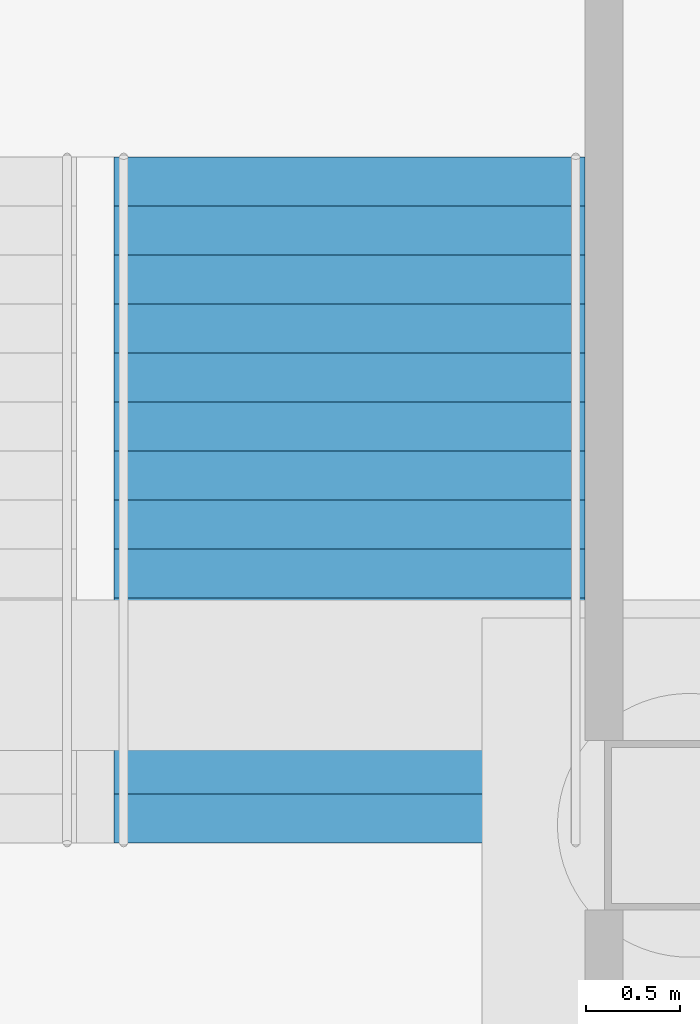
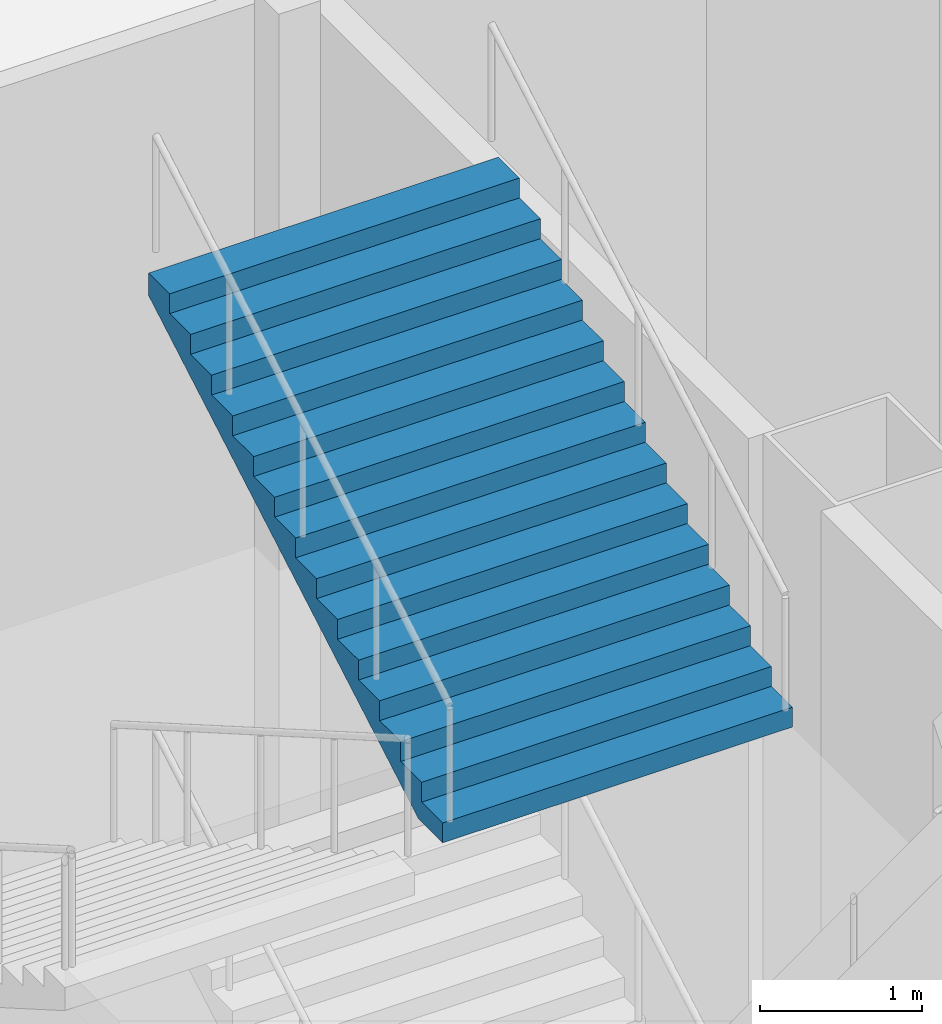
# One storey, part 87 of 113: 1 stair flight, 1 element without a shape of its own.
"""IFC4 building model written with IfcOpenShell, lengths in metres."""

import ifcopenshell
import ifcopenshell.guid

model = None  # the IFC model being written
_history = None  # IfcOwnerHistory: only IFC2X3 demands one
_inside = {}  # id of a spatial element -> (the spatial element, [elements in it])
_under = {}  # id of a project, library or spatial element -> (it, [spatial elements below it])
_declared = {}  # id of a project -> (the project, [libraries it declares])
_typed = {}  # id of a type object -> (the type object, [elements of that type])
_made_of = {}  # id of a material, layer set ... -> (it, [elements and type objects made of it])


def new_model(schema):
    """Start an empty IFC model of exactly this schema.

    Asked for "IFC4X3", IfcOpenShell would pick the latest addendum, in which some entities
    have other attributes; the version numbers below select the first issue.
    IFC2X3 requires an IfcOwnerHistory on every rooted entity: one is made here for all.
    """
    global model, _history
    if schema == "IFC4X3":
        model = ifcopenshell.file(schema_version=(4, 3, 0, 0))
    else:
        model = ifcopenshell.file(schema=schema)
    _inside.clear()
    _under.clear()
    _declared.clear()
    _typed.clear()
    _made_of.clear()
    _history = None
    if model.schema == "IFC2X3":
        org = make("IfcOrganization", Name="unknown")
        user = make(
            "IfcPersonAndOrganization",
            ThePerson=make("IfcPerson", FamilyName="unknown"),
            TheOrganization=org,
        )
        app = make(
            "IfcApplication",
            ApplicationDeveloper=org,
            Version="unknown",
            ApplicationFullName="unknown",
            ApplicationIdentifier="unknown",
        )
        _history = make(
            "IfcOwnerHistory",
            OwningUser=user,
            OwningApplication=app,
            ChangeAction="ADDED",
            CreationDate=0,
        )
    return model


def make(cls, **values):
    """One entity of the class cls with the attributes given. An attribute that is None is left unset."""
    return model.create_entity(
        cls, **{name: value for name, value in values.items() if value is not None}
    )


def rooted(cls, **values):
    """An entity with a GlobalId (a new one), such as an element, a storey or a relation."""
    return make(cls, GlobalId=ifcopenshell.guid.new(), OwnerHistory=_history, **values)


def si_unit(unit_type, name, prefix=None):
    """IfcSIUnit, for example si_unit("LENGTHUNIT", "METRE", prefix="MILLI")."""
    return make("IfcSIUnit", UnitType=unit_type, Prefix=prefix, Name=name)


def assignment(units):
    """IfcUnitAssignment: the units of a project."""
    return None if units is None else make("IfcUnitAssignment", Units=units)


def point(xyz):
    """IfcCartesianPoint."""
    return None if xyz is None else make("IfcCartesianPoint", Coordinates=xyz)


def direction(xyz):
    """IfcDirection."""
    return None if xyz is None else make("IfcDirection", DirectionRatios=xyz)


def frame(location, z_axis=None, x_axis=None):
    """IfcAxis2Placement3D, a coordinate frame: its origin and axes. An axis left out is left unset."""
    return make(
        "IfcAxis2Placement3D",
        Location=point(location),
        Axis=direction(z_axis),
        RefDirection=direction(x_axis),
    )


def origin():
    """The frame at (0, 0, 0) with its axes left unset."""
    return frame((0.0, 0.0, 0.0))


def place(relative_to, where):
    """IfcLocalPlacement: puts the frame where relative to a parent placement (None: the world)."""
    return make(
        "IfcLocalPlacement", PlacementRelTo=relative_to, RelativePlacement=where
    )


def context(
    kind, dimensions, precision=None, world=None, true_north=None, identifier=None
):
    """IfcGeometricRepresentationContext, for example the 3D "Model" context."""
    return make(
        "IfcGeometricRepresentationContext",
        ContextIdentifier=identifier,
        ContextType=kind,
        CoordinateSpaceDimension=dimensions,
        Precision=precision,
        WorldCoordinateSystem=world,
        TrueNorth=true_north,
    )


def subcontext(parent, identifier, kind, view, scale=None):
    """IfcGeometricRepresentationSubContext, for example "Body" below "Model"."""
    return make(
        "IfcGeometricRepresentationSubContext",
        ContextIdentifier=identifier,
        ContextType=kind,
        ParentContext=parent,
        TargetScale=scale,
        TargetView=view,
    )


def project(units=None, contexts=None):
    """IfcProject with its units and contexts."""
    return rooted(
        "IfcProject",
        Name="project",
        RepresentationContexts=contexts,
        UnitsInContext=assignment(units),
    )


def spatial(cls, under=None, at=None, **own):
    """A site, building, storey or space (cls), placed at a placement, below another one or the project."""
    s = rooted(cls, ObjectPlacement=at, **own)
    if under is not None:
        _under.setdefault(under.id(), (under, []))[1].append(s)
    return s


def point_list(points):
    """IfcCartesianPointList2D or 3D."""
    cls = (
        "IfcCartesianPointList2D" if len(points[0]) == 2 else "IfcCartesianPointList3D"
    )
    return make(cls, CoordList=points)


def triangles(points, corners, closed=None, point_numbers=None):
    """IfcTriangulatedFaceSet: each triangle names its three corners, points numbered from 1."""
    return make(
        "IfcTriangulatedFaceSet",
        Coordinates=point_list(points),
        Closed=closed,
        CoordIndex=corners,
        PnIndex=point_numbers,
    )


def shape(context_of_items, identifier, shape_type, items):
    """IfcShapeRepresentation: the items that make up one representation, for example the "Body"."""
    return make(
        "IfcShapeRepresentation",
        ContextOfItems=context_of_items,
        RepresentationIdentifier=identifier,
        RepresentationType=shape_type,
        Items=items,
    )


def material(Name=None, Category=None):
    """IfcMaterial."""
    return make("IfcMaterial", Name=Name, Category=Category)


def made_of(thing, what):
    """Note that an element or type object is made of a material, layer set ...; save() writes the relation."""
    if what is not None:
        _made_of.setdefault(what.id(), (what, []))[1].append(thing)
    return thing


def type_object(cls, material=None, **own):
    """A type object (cls), such as IfcWallType, which elements share."""
    return made_of(rooted(cls, **own), material)


def element(
    cls,
    number,
    at=None,
    inside=None,
    cuts=None,
    type_object=None,
    material=None,
    context=None,
    identifier="Body",
    shape_type=None,
    held_by="IfcProductDefinitionShape",
    body=None,
    shapes=None,
    **own,
):
    """One element of the class cls, such as IfcWall. Its Tag is "e" and its number.

    at: its placement. inside: the storey or other place that contains it. cuts: it is an
    opening in that element (IfcRelVoidsElement). A single representation is given by context,
    identifier, shape_type and body (its items); several are given by shapes. held_by: the class
    of the entity that holds the representations. save() writes the other relations.
    """
    e = rooted(cls, Tag="e%d" % number, ObjectPlacement=at, **own)
    if body is not None:
        shapes = [shape(context, identifier, shape_type, body)]
    if shapes is not None:
        e.Representation = make(held_by, Representations=shapes)
    if inside is not None:
        _inside.setdefault(inside.id(), (inside, []))[1].append(e)
    if cuts is not None:
        rooted(
            "IfcRelVoidsElement", RelatingBuildingElement=cuts, RelatedOpeningElement=e
        )
    if type_object is not None:
        _typed.setdefault(type_object.id(), (type_object, []))[1].append(e)
    return made_of(e, material)


def aggregate(whole, parts):
    """IfcRelAggregates: a whole, such as a stair, and the parts it consists of."""
    return rooted("IfcRelAggregates", RelatingObject=whole, RelatedObjects=parts)


def save(model, path):
    """Write the relations noted so far, then the file.

    IfcRelAggregates (storeys below a building ...), IfcRelContainedInSpatialStructure (elements
    in a storey), IfcRelDefinesByType, IfcRelAssociatesMaterial and IfcRelDeclares: one each for
    every whole, place, type object, material and project.
    """
    for whole, parts in _under.values():
        aggregate(whole, parts)
    for where, things in _inside.values():
        rooted(
            "IfcRelContainedInSpatialStructure",
            RelatedElements=things,
            RelatingStructure=where,
        )
    for kind, things in _typed.values():
        rooted("IfcRelDefinesByType", RelatedObjects=things, RelatingType=kind)
    for what, things in _made_of.values():
        rooted("IfcRelAssociatesMaterial", RelatedObjects=things, RelatingMaterial=what)
    for by, libraries in _declared.values():
        rooted("IfcRelDeclares", RelatingContext=by, RelatedDefinitions=libraries)
    model.write(path)


model = new_model("IFC4")

# Units and contexts
model_context = context("Model", 3, precision=1e-05, world=origin(), true_north=direction((0.0, 1.0)))
body_context = subcontext(model_context, "Body", "Model", "MODEL_VIEW")
ifc_project = project(units=[si_unit("LENGTHUNIT", "METRE"), si_unit("AREAUNIT", "SQUARE_METRE"), si_unit("VOLUMEUNIT", "CUBIC_METRE"), si_unit("PLANEANGLEUNIT", "RADIAN"), si_unit("MASSUNIT", "GRAM", prefix="KILO")], contexts=[model_context])

# Site, building, storey
site_placement = place(None, origin())
site = spatial("IfcSite", under=ifc_project, at=site_placement, CompositionType="ELEMENT")
building_placement = place(site_placement, origin())
building = spatial("IfcBuilding", under=site, at=building_placement, Name="Hakoniwa Tower and Hamabe Station Hall", CompositionType="ELEMENT")
storey_placement = place(building_placement, origin())
storey = spatial("IfcBuildingStorey", under=building, at=storey_placement, Name="L01", CompositionType="ELEMENT", Elevation=0.0)

# Stair, stair flight
ifc_material_1 = material(Name="Concrete C40", Category="concrete")
stair_type = type_object("IfcStairType", Name="STAIR 2500 15X150", PredefinedType="HALF_TURN_STAIR", material=ifc_material_1)
stair_placement = place(storey_placement, origin())
stair = element("IfcStair", 1, at=stair_placement, inside=storey, type_object=stair_type, Name="Escape stair PS2", PredefinedType="HALF_TURN_STAIR")
ifc_material_2 = material(Name="Concrete C40", Category="concrete")
stair_flight_type = type_object("IfcStairFlightType", Name="STAIR FLIGHT 2500", PredefinedType="STRAIGHT", material=ifc_material_2)
stair_flight_placement = place(storey_placement, frame((47.800048828125, 18.7099609375, 6.75), z_axis=(0.0, 0.0, 1.0), x_axis=(0.0, 1.0, 0.0)))
stair_flight = element("IfcStairFlight", 2, at=stair_flight_placement, type_object=stair_flight_type, Name="PS2 flight 4", NumberOfRisers=15, NumberOfTreads=14, PredefinedType="STRAIGHT", RiserHeight=0.15, TreadLength=0.26, context=body_context, shape_type="Tessellation", body=[
    triangles([(0.0, 1.25, 0.0), (0.260009765625, 1.25, 0.0), (0.300048828125, 1.25, 0.0), (0.52001953125, 1.25, 0.126953125), (0.780029296875, 1.25, 0.27685546875), (1.0400390625, 1.25, 0.427001953125), (1.300048828125, 1.25, 0.576904296875), (1.56005859375, 1.25, 0.72705078125), (1.820068359375, 1.25, 0.876953125), (2.080078125, 1.25, 1.02685546875), (2.340087890625, 1.25, 1.177001953125), (2.60009765625, 1.25, 1.326904296875), (2.860107421875, 1.25, 1.47705078125), (3.1201171875, 1.25, 1.626953125), (3.3798828125, 1.25, 1.77685546875), (3.639892578125, 1.25, 1.927001953125), (3.639892578125, 1.25, 2.10009765625), (3.3798828125, 1.25, 2.10009765625), (3.3798828125, 1.25, 1.949951171875), (3.1201171875, 1.25, 1.949951171875), (3.1201171875, 1.25, 1.800048828125), (2.860107421875, 1.25, 1.800048828125), (2.860107421875, 1.25, 1.64990234375), (2.60009765625, 1.25, 1.64990234375), (2.60009765625, 1.25, 1.5), (2.340087890625, 1.25, 1.5), (2.340087890625, 1.25, 1.35009765625), (2.080078125, 1.25, 1.35009765625), (2.080078125, 1.25, 1.199951171875), (1.820068359375, 1.25, 1.199951171875), (1.820068359375, 1.25, 1.050048828125), (1.56005859375, 1.25, 1.050048828125), (1.56005859375, 1.25, 0.89990234375), (1.300048828125, 1.25, 0.89990234375), (1.300048828125, 1.25, 0.75), (1.0400390625, 1.25, 0.75), (1.0400390625, 1.25, 0.60009765625), (0.780029296875, 1.25, 0.60009765625), (0.780029296875, 1.25, 0.449951171875), (0.52001953125, 1.25, 0.449951171875), (0.52001953125, 1.25, 0.300048828125), (0.300048828125, 1.25, 0.300048828125), (0.260009765625, 1.25, 0.300048828125), (0.260009765625, 1.25, 0.14990234375), (0.0, 1.25, 0.14990234375), (0.0, 0.06005859375, 0.0), (0.260009765625, 0.06005859375, 0.0), (0.300048828125, 0.06005859375, 0.0), (0.52001953125, 0.06005859375, 0.126953125), (0.780029296875, 0.06005859375, 0.27685546875), (1.0400390625, 0.06005859375, 0.427001953125), (1.300048828125, 0.06005859375, 0.576904296875), (1.56005859375, 0.06005859375, 0.72705078125), (1.820068359375, 0.06005859375, 0.876953125), (2.080078125, 0.06005859375, 1.02685546875), (2.340087890625, 0.06005859375, 1.177001953125), (2.60009765625, 0.06005859375, 1.326904296875), (2.860107421875, 0.06005859375, 1.47705078125), (3.1201171875, 0.06005859375, 1.626953125), (3.3798828125, 0.06005859375, 1.77685546875), (3.639892578125, 0.06005859375, 1.927001953125), (3.639892578125, 0.06005859375, 2.10009765625), (3.3798828125, 0.06005859375, 2.10009765625), (3.3798828125, 0.06005859375, 1.949951171875), (3.1201171875, 0.06005859375, 1.949951171875), (3.1201171875, 0.06005859375, 1.800048828125), (2.860107421875, 0.06005859375, 1.800048828125), (2.860107421875, 0.06005859375, 1.64990234375), (2.60009765625, 0.06005859375, 1.64990234375), (2.60009765625, 0.06005859375, 1.5), (2.340087890625, 0.06005859375, 1.5), (2.340087890625, 0.06005859375, 1.35009765625), (2.080078125, 0.06005859375, 1.35009765625), (2.080078125, 0.06005859375, 1.199951171875), (1.820068359375, 0.06005859375, 1.199951171875), (1.820068359375, 0.06005859375, 1.050048828125), (1.56005859375, 0.06005859375, 1.050048828125), (1.56005859375, 0.06005859375, 0.89990234375), (1.300048828125, 0.06005859375, 0.89990234375), (1.300048828125, 0.06005859375, 0.75), (1.0400390625, 0.06005859375, 0.75), (1.0400390625, 0.06005859375, 0.60009765625), (0.780029296875, 0.06005859375, 0.60009765625), (0.780029296875, 0.06005859375, 0.449951171875), (0.52001953125, 0.06005859375, 0.449951171875), (0.52001953125, 0.06005859375, 0.300048828125), (0.300048828125, 0.06005859375, 0.300048828125), (0.260009765625, 0.06005859375, 0.300048828125), (0.260009765625, 0.06005859375, 0.14990234375), (0.0, 0.06005859375, 0.14990234375), (0.0, 0.02001953125, 0.0), (0.260009765625, 0.02001953125, 0.0), (0.300048828125, 0.02001953125, 0.0), (0.52001953125, 0.02001953125, 0.126953125), (0.780029296875, 0.02001953125, 0.27685546875), (1.0400390625, 0.02001953125, 0.427001953125), (1.300048828125, 0.02001953125, 0.576904296875), (1.56005859375, 0.02001953125, 0.72705078125), (1.820068359375, 0.02001953125, 0.876953125), (2.080078125, 0.02001953125, 1.02685546875), (2.340087890625, 0.02001953125, 1.177001953125), (2.60009765625, 0.02001953125, 1.326904296875), (2.860107421875, 0.02001953125, 1.47705078125), (3.1201171875, 0.02001953125, 1.626953125), (3.3798828125, 0.02001953125, 1.77685546875), (3.639892578125, 0.02001953125, 1.927001953125), (3.639892578125, 0.02001953125, 2.10009765625), (3.3798828125, 0.02001953125, 2.10009765625), (3.3798828125, 0.02001953125, 1.949951171875), (3.1201171875, 0.02001953125, 1.949951171875), (3.1201171875, 0.02001953125, 1.800048828125), (2.860107421875, 0.02001953125, 1.800048828125), (2.860107421875, 0.02001953125, 1.64990234375), (2.60009765625, 0.02001953125, 1.64990234375), (2.60009765625, 0.02001953125, 1.5), (2.340087890625, 0.02001953125, 1.5), (2.340087890625, 0.02001953125, 1.35009765625), (2.080078125, 0.02001953125, 1.35009765625), (2.080078125, 0.02001953125, 1.199951171875), (1.820068359375, 0.02001953125, 1.199951171875), (1.820068359375, 0.02001953125, 1.050048828125), (1.56005859375, 0.02001953125, 1.050048828125), (1.56005859375, 0.02001953125, 0.89990234375), (1.300048828125, 0.02001953125, 0.89990234375), (1.300048828125, 0.02001953125, 0.75), (1.0400390625, 0.02001953125, 0.75), (1.0400390625, 0.02001953125, 0.60009765625), (0.780029296875, 0.02001953125, 0.60009765625), (0.780029296875, 0.02001953125, 0.449951171875), (0.52001953125, 0.02001953125, 0.449951171875), (0.52001953125, 0.02001953125, 0.300048828125), (0.300048828125, 0.02001953125, 0.300048828125), (0.260009765625, 0.02001953125, 0.300048828125), (0.260009765625, 0.02001953125, 0.14990234375), (0.0, 0.02001953125, 0.14990234375), (0.0, -0.02001953125, 0.0), (0.260009765625, -0.02001953125, 0.0), (0.300048828125, -0.02001953125, 0.0), (0.52001953125, -0.02001953125, 0.126953125), (0.780029296875, -0.02001953125, 0.27685546875), (1.0400390625, -0.02001953125, 0.427001953125), (1.300048828125, -0.02001953125, 0.576904296875), (1.56005859375, -0.02001953125, 0.72705078125), (1.820068359375, -0.02001953125, 0.876953125), (2.080078125, -0.02001953125, 1.02685546875), (2.340087890625, -0.02001953125, 1.177001953125), (2.60009765625, -0.02001953125, 1.326904296875), (2.860107421875, -0.02001953125, 1.47705078125), (3.1201171875, -0.02001953125, 1.626953125), (3.3798828125, -0.02001953125, 1.77685546875), (3.639892578125, -0.02001953125, 1.927001953125), (3.639892578125, -0.02001953125, 2.10009765625), (3.3798828125, -0.02001953125, 2.10009765625), (3.3798828125, -0.02001953125, 1.949951171875), (3.1201171875, -0.02001953125, 1.949951171875), (3.1201171875, -0.02001953125, 1.800048828125), (2.860107421875, -0.02001953125, 1.800048828125), (2.860107421875, -0.02001953125, 1.64990234375), (2.60009765625, -0.02001953125, 1.64990234375), (2.60009765625, -0.02001953125, 1.5), (2.340087890625, -0.02001953125, 1.5), (2.340087890625, -0.02001953125, 1.35009765625), (2.080078125, -0.02001953125, 1.35009765625), (2.080078125, -0.02001953125, 1.199951171875), (1.820068359375, -0.02001953125, 1.199951171875), (1.820068359375, -0.02001953125, 1.050048828125), (1.56005859375, -0.02001953125, 1.050048828125), (1.56005859375, -0.02001953125, 0.89990234375), (1.300048828125, -0.02001953125, 0.89990234375), (1.300048828125, -0.02001953125, 0.75), (1.0400390625, -0.02001953125, 0.75), (1.0400390625, -0.02001953125, 0.60009765625), (0.780029296875, -0.02001953125, 0.60009765625), (0.780029296875, -0.02001953125, 0.449951171875), (0.52001953125, -0.02001953125, 0.449951171875), (0.52001953125, -0.02001953125, 0.300048828125), (0.300048828125, -0.02001953125, 0.300048828125), (0.260009765625, -0.02001953125, 0.300048828125), (0.260009765625, -0.02001953125, 0.14990234375), (0.0, -0.02001953125, 0.14990234375), (0.0, -0.06005859375, 0.0), (0.260009765625, -0.06005859375, 0.0), (0.300048828125, -0.06005859375, 0.0), (0.52001953125, -0.06005859375, 0.126953125), (0.780029296875, -0.06005859375, 0.27685546875), (1.0400390625, -0.06005859375, 0.427001953125), (1.300048828125, -0.06005859375, 0.576904296875), (1.56005859375, -0.06005859375, 0.72705078125), (1.820068359375, -0.06005859375, 0.876953125), (2.080078125, -0.06005859375, 1.02685546875), (2.340087890625, -0.06005859375, 1.177001953125), (2.60009765625, -0.06005859375, 1.326904296875), (2.860107421875, -0.06005859375, 1.47705078125), (3.1201171875, -0.06005859375, 1.626953125), (3.3798828125, -0.06005859375, 1.77685546875), (3.639892578125, -0.06005859375, 1.927001953125), (3.639892578125, -0.06005859375, 2.10009765625), (3.3798828125, -0.06005859375, 2.10009765625), (3.3798828125, -0.06005859375, 1.949951171875), (3.1201171875, -0.06005859375, 1.949951171875), (3.1201171875, -0.06005859375, 1.800048828125), (2.860107421875, -0.06005859375, 1.800048828125), (2.860107421875, -0.06005859375, 1.64990234375), (2.60009765625, -0.06005859375, 1.64990234375), (2.60009765625, -0.06005859375, 1.5), (2.340087890625, -0.06005859375, 1.5), (2.340087890625, -0.06005859375, 1.35009765625), (2.080078125, -0.06005859375, 1.35009765625), (2.080078125, -0.06005859375, 1.199951171875), (1.820068359375, -0.06005859375, 1.199951171875), (1.820068359375, -0.06005859375, 1.050048828125), (1.56005859375, -0.06005859375, 1.050048828125), (1.56005859375, -0.06005859375, 0.89990234375), (1.300048828125, -0.06005859375, 0.89990234375), (1.300048828125, -0.06005859375, 0.75), (1.0400390625, -0.06005859375, 0.75), (1.0400390625, -0.06005859375, 0.60009765625), (0.780029296875, -0.06005859375, 0.60009765625), (0.780029296875, -0.06005859375, 0.449951171875), (0.52001953125, -0.06005859375, 0.449951171875), (0.52001953125, -0.06005859375, 0.300048828125), (0.300048828125, -0.06005859375, 0.300048828125), (0.260009765625, -0.06005859375, 0.300048828125), (0.260009765625, -0.06005859375, 0.14990234375), (0.0, -0.06005859375, 0.14990234375), (0.0, -1.25, 0.0), (0.260009765625, -1.25, 0.0), (0.300048828125, -1.25, 0.0), (0.52001953125, -1.25, 0.126953125), (0.780029296875, -1.25, 0.27685546875), (1.0400390625, -1.25, 0.427001953125), (1.300048828125, -1.25, 0.576904296875), (1.56005859375, -1.25, 0.72705078125), (1.820068359375, -1.25, 0.876953125), (2.080078125, -1.25, 1.02685546875), (2.340087890625, -1.25, 1.177001953125), (2.60009765625, -1.25, 1.326904296875), (2.860107421875, -1.25, 1.47705078125), (3.1201171875, -1.25, 1.626953125), (3.3798828125, -1.25, 1.77685546875), (3.639892578125, -1.25, 1.927001953125), (3.639892578125, -1.25, 2.10009765625), (3.3798828125, -1.25, 2.10009765625), (3.3798828125, -1.25, 1.949951171875), (3.1201171875, -1.25, 1.949951171875), (3.1201171875, -1.25, 1.800048828125), (2.860107421875, -1.25, 1.800048828125), (2.860107421875, -1.25, 1.64990234375), (2.60009765625, -1.25, 1.64990234375), (2.60009765625, -1.25, 1.5), (2.340087890625, -1.25, 1.5), (2.340087890625, -1.25, 1.35009765625), (2.080078125, -1.25, 1.35009765625), (2.080078125, -1.25, 1.199951171875), (1.820068359375, -1.25, 1.199951171875), (1.820068359375, -1.25, 1.050048828125), (1.56005859375, -1.25, 1.050048828125), (1.56005859375, -1.25, 0.89990234375), (1.300048828125, -1.25, 0.89990234375), (1.300048828125, -1.25, 0.75), (1.0400390625, -1.25, 0.75), (1.0400390625, -1.25, 0.60009765625), (0.780029296875, -1.25, 0.60009765625), (0.780029296875, -1.25, 0.449951171875), (0.52001953125, -1.25, 0.449951171875), (0.52001953125, -1.25, 0.300048828125), (0.300048828125, -1.25, 0.300048828125), (0.260009765625, -1.25, 0.300048828125), (0.260009765625, -1.25, 0.14990234375), (0.0, -1.25, 0.14990234375)], [[2, 45, 44], [227, 269, 270], [2, 1, 45], [227, 270, 226], [3, 43, 42], [228, 267, 268], [3, 44, 43], [228, 268, 269], [3, 2, 44], [228, 269, 227], [4, 42, 41], [229, 266, 267], [4, 3, 42], [229, 267, 228], [5, 40, 39], [230, 264, 265], [5, 41, 40], [230, 265, 266], [5, 4, 41], [230, 266, 229], [6, 38, 37], [231, 262, 263], [6, 39, 38], [231, 263, 264], [6, 5, 39], [231, 264, 230], [7, 36, 35], [232, 260, 261], [7, 37, 36], [232, 261, 262], [7, 6, 37], [232, 262, 231], [8, 34, 33], [233, 258, 259], [8, 35, 34], [233, 259, 260], [8, 7, 35], [233, 260, 232], [9, 32, 31], [234, 256, 257], [9, 33, 32], [234, 257, 258], [9, 8, 33], [234, 258, 233], [10, 30, 29], [235, 254, 255], [10, 31, 30], [235, 255, 256], [10, 9, 31], [235, 256, 234], [11, 28, 27], [236, 252, 253], [11, 29, 28], [236, 253, 254], [11, 10, 29], [236, 254, 235], [12, 26, 25], [237, 250, 251], [12, 27, 26], [237, 251, 252], [12, 11, 27], [237, 252, 236], [13, 24, 23], [238, 248, 249], [13, 25, 24], [238, 249, 250], [13, 12, 25], [238, 250, 237], [14, 22, 21], [239, 246, 247], [14, 23, 22], [239, 247, 248], [14, 13, 23], [239, 248, 238], [15, 20, 19], [240, 244, 245], [15, 21, 20], [240, 245, 246], [15, 14, 21], [240, 246, 239], [16, 18, 17], [241, 242, 243], [16, 19, 18], [241, 243, 244], [16, 15, 19], [241, 244, 240], [1, 2, 47], [1, 47, 46], [46, 47, 92], [46, 92, 91], [91, 92, 137], [91, 137, 136], [136, 137, 182], [136, 182, 181], [181, 182, 227], [181, 227, 226], [2, 3, 48], [2, 48, 47], [47, 48, 93], [47, 93, 92], [92, 93, 138], [92, 138, 137], [137, 138, 183], [137, 183, 182], [182, 183, 228], [182, 228, 227], [3, 4, 49], [3, 49, 48], [48, 49, 94], [48, 94, 93], [93, 94, 139], [93, 139, 138], [138, 139, 184], [138, 184, 183], [183, 184, 229], [183, 229, 228], [4, 5, 50], [4, 50, 49], [49, 50, 95], [49, 95, 94], [94, 95, 140], [94, 140, 139], [139, 140, 185], [139, 185, 184], [184, 185, 230], [184, 230, 229], [5, 6, 51], [5, 51, 50], [50, 51, 96], [50, 96, 95], [95, 96, 141], [95, 141, 140], [140, 141, 186], [140, 186, 185], [185, 186, 231], [185, 231, 230], [6, 7, 52], [6, 52, 51], [51, 52, 97], [51, 97, 96], [96, 97, 142], [96, 142, 141], [141, 142, 187], [141, 187, 186], [186, 187, 232], [186, 232, 231], [7, 8, 53], [7, 53, 52], [52, 53, 98], [52, 98, 97], [97, 98, 143], [97, 143, 142], [142, 143, 188], [142, 188, 187], [187, 188, 233], [187, 233, 232], [8, 9, 54], [8, 54, 53], [53, 54, 99], [53, 99, 98], [98, 99, 144], [98, 144, 143], [143, 144, 189], [143, 189, 188], [188, 189, 234], [188, 234, 233], [9, 10, 55], [9, 55, 54], [54, 55, 100], [54, 100, 99], [99, 100, 145], [99, 145, 144], [144, 145, 190], [144, 190, 189], [189, 190, 235], [189, 235, 234], [10, 11, 56], [10, 56, 55], [55, 56, 101], [55, 101, 100], [100, 101, 146], [100, 146, 145], [145, 146, 191], [145, 191, 190], [190, 191, 236], [190, 236, 235], [11, 12, 57], [11, 57, 56], [56, 57, 102], [56, 102, 101], [101, 102, 147], [101, 147, 146], [146, 147, 192], [146, 192, 191], [191, 192, 237], [191, 237, 236], [12, 13, 58], [12, 58, 57], [57, 58, 103], [57, 103, 102], [102, 103, 148], [102, 148, 147], [147, 148, 193], [147, 193, 192], [192, 193, 238], [192, 238, 237], [13, 14, 59], [13, 59, 58], [58, 59, 104], [58, 104, 103], [103, 104, 149], [103, 149, 148], [148, 149, 194], [148, 194, 193], [193, 194, 239], [193, 239, 238], [14, 15, 60], [14, 60, 59], [59, 60, 105], [59, 105, 104], [104, 105, 150], [104, 150, 149], [149, 150, 195], [149, 195, 194], [194, 195, 240], [194, 240, 239], [15, 16, 61], [15, 61, 60], [60, 61, 106], [60, 106, 105], [105, 106, 151], [105, 151, 150], [150, 151, 196], [150, 196, 195], [195, 196, 241], [195, 241, 240], [16, 17, 62], [16, 62, 61], [61, 62, 107], [61, 107, 106], [106, 107, 152], [106, 152, 151], [151, 152, 197], [151, 197, 196], [196, 197, 242], [196, 242, 241], [17, 18, 63], [17, 63, 62], [62, 63, 108], [62, 108, 107], [107, 108, 153], [107, 153, 152], [152, 153, 198], [152, 198, 197], [197, 198, 243], [197, 243, 242], [18, 19, 64], [18, 64, 63], [63, 64, 109], [63, 109, 108], [108, 109, 154], [108, 154, 153], [153, 154, 199], [153, 199, 198], [198, 199, 244], [198, 244, 243], [19, 20, 65], [19, 65, 64], [64, 65, 110], [64, 110, 109], [109, 110, 155], [109, 155, 154], [154, 155, 200], [154, 200, 199], [199, 200, 245], [199, 245, 244], [20, 21, 66], [20, 66, 65], [65, 66, 111], [65, 111, 110], [110, 111, 156], [110, 156, 155], [155, 156, 201], [155, 201, 200], [200, 201, 246], [200, 246, 245], [21, 22, 67], [21, 67, 66], [66, 67, 112], [66, 112, 111], [111, 112, 157], [111, 157, 156], [156, 157, 202], [156, 202, 201], [201, 202, 247], [201, 247, 246], [22, 23, 68], [22, 68, 67], [67, 68, 113], [67, 113, 112], [112, 113, 158], [112, 158, 157], [157, 158, 203], [157, 203, 202], [202, 203, 248], [202, 248, 247], [23, 24, 69], [23, 69, 68], [68, 69, 114], [68, 114, 113], [113, 114, 159], [113, 159, 158], [158, 159, 204], [158, 204, 203], [203, 204, 249], [203, 249, 248], [24, 25, 70], [24, 70, 69], [69, 70, 115], [69, 115, 114], [114, 115, 160], [114, 160, 159], [159, 160, 205], [159, 205, 204], [204, 205, 250], [204, 250, 249], [25, 26, 71], [25, 71, 70], [70, 71, 116], [70, 116, 115], [115, 116, 161], [115, 161, 160], [160, 161, 206], [160, 206, 205], [205, 206, 251], [205, 251, 250], [26, 27, 72], [26, 72, 71], [71, 72, 117], [71, 117, 116], [116, 117, 162], [116, 162, 161], [161, 162, 207], [161, 207, 206], [206, 207, 252], [206, 252, 251], [27, 28, 73], [27, 73, 72], [72, 73, 118], [72, 118, 117], [117, 118, 163], [117, 163, 162], [162, 163, 208], [162, 208, 207], [207, 208, 253], [207, 253, 252], [28, 29, 74], [28, 74, 73], [73, 74, 119], [73, 119, 118], [118, 119, 164], [118, 164, 163], [163, 164, 209], [163, 209, 208], [208, 209, 254], [208, 254, 253], [29, 30, 75], [29, 75, 74], [74, 75, 120], [74, 120, 119], [119, 120, 165], [119, 165, 164], [164, 165, 210], [164, 210, 209], [209, 210, 255], [209, 255, 254], [30, 31, 76], [30, 76, 75], [75, 76, 121], [75, 121, 120], [120, 121, 166], [120, 166, 165], [165, 166, 211], [165, 211, 210], [210, 211, 256], [210, 256, 255], [31, 32, 77], [31, 77, 76], [76, 77, 122], [76, 122, 121], [121, 122, 167], [121, 167, 166], [166, 167, 212], [166, 212, 211], [211, 212, 257], [211, 257, 256], [32, 33, 78], [32, 78, 77], [77, 78, 123], [77, 123, 122], [122, 123, 168], [122, 168, 167], [167, 168, 213], [167, 213, 212], [212, 213, 258], [212, 258, 257], [33, 34, 79], [33, 79, 78], [78, 79, 124], [78, 124, 123], [123, 124, 169], [123, 169, 168], [168, 169, 214], [168, 214, 213], [213, 214, 259], [213, 259, 258], [34, 35, 80], [34, 80, 79], [79, 80, 125], [79, 125, 124], [124, 125, 170], [124, 170, 169], [169, 170, 215], [169, 215, 214], [214, 215, 260], [214, 260, 259], [35, 36, 81], [35, 81, 80], [80, 81, 126], [80, 126, 125], [125, 126, 171], [125, 171, 170], [170, 171, 216], [170, 216, 215], [215, 216, 261], [215, 261, 260], [36, 37, 82], [36, 82, 81], [81, 82, 127], [81, 127, 126], [126, 127, 172], [126, 172, 171], [171, 172, 217], [171, 217, 216], [216, 217, 262], [216, 262, 261], [37, 38, 83], [37, 83, 82], [82, 83, 128], [82, 128, 127], [127, 128, 173], [127, 173, 172], [172, 173, 218], [172, 218, 217], [217, 218, 263], [217, 263, 262], [38, 39, 84], [38, 84, 83], [83, 84, 129], [83, 129, 128], [128, 129, 174], [128, 174, 173], [173, 174, 219], [173, 219, 218], [218, 219, 264], [218, 264, 263], [39, 40, 85], [39, 85, 84], [84, 85, 130], [84, 130, 129], [129, 130, 175], [129, 175, 174], [174, 175, 220], [174, 220, 219], [219, 220, 265], [219, 265, 264], [40, 41, 86], [40, 86, 85], [85, 86, 131], [85, 131, 130], [130, 131, 176], [130, 176, 175], [175, 176, 221], [175, 221, 220], [220, 221, 266], [220, 266, 265], [41, 42, 87], [41, 87, 86], [86, 87, 132], [86, 132, 131], [131, 132, 177], [131, 177, 176], [176, 177, 222], [176, 222, 221], [221, 222, 267], [221, 267, 266], [42, 43, 88], [42, 88, 87], [87, 88, 133], [87, 133, 132], [132, 133, 178], [132, 178, 177], [177, 178, 223], [177, 223, 222], [222, 223, 268], [222, 268, 267], [43, 44, 89], [43, 89, 88], [88, 89, 134], [88, 134, 133], [133, 134, 179], [133, 179, 178], [178, 179, 224], [178, 224, 223], [223, 224, 269], [223, 269, 268], [44, 45, 90], [44, 90, 89], [89, 90, 135], [89, 135, 134], [134, 135, 180], [134, 180, 179], [179, 180, 225], [179, 225, 224], [224, 225, 270], [224, 270, 269], [45, 1, 46], [45, 46, 90], [90, 46, 91], [90, 91, 135], [135, 91, 136], [135, 136, 180], [180, 136, 181], [180, 181, 225], [225, 181, 226], [225, 226, 270]], closed=True),
])
aggregate(stair, [stair_flight])

save(model, "model.ifc")
